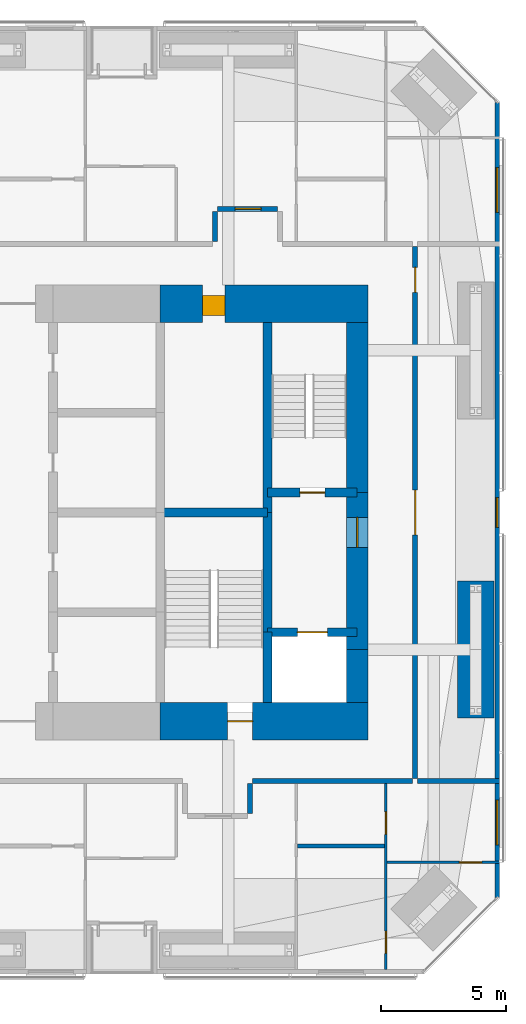
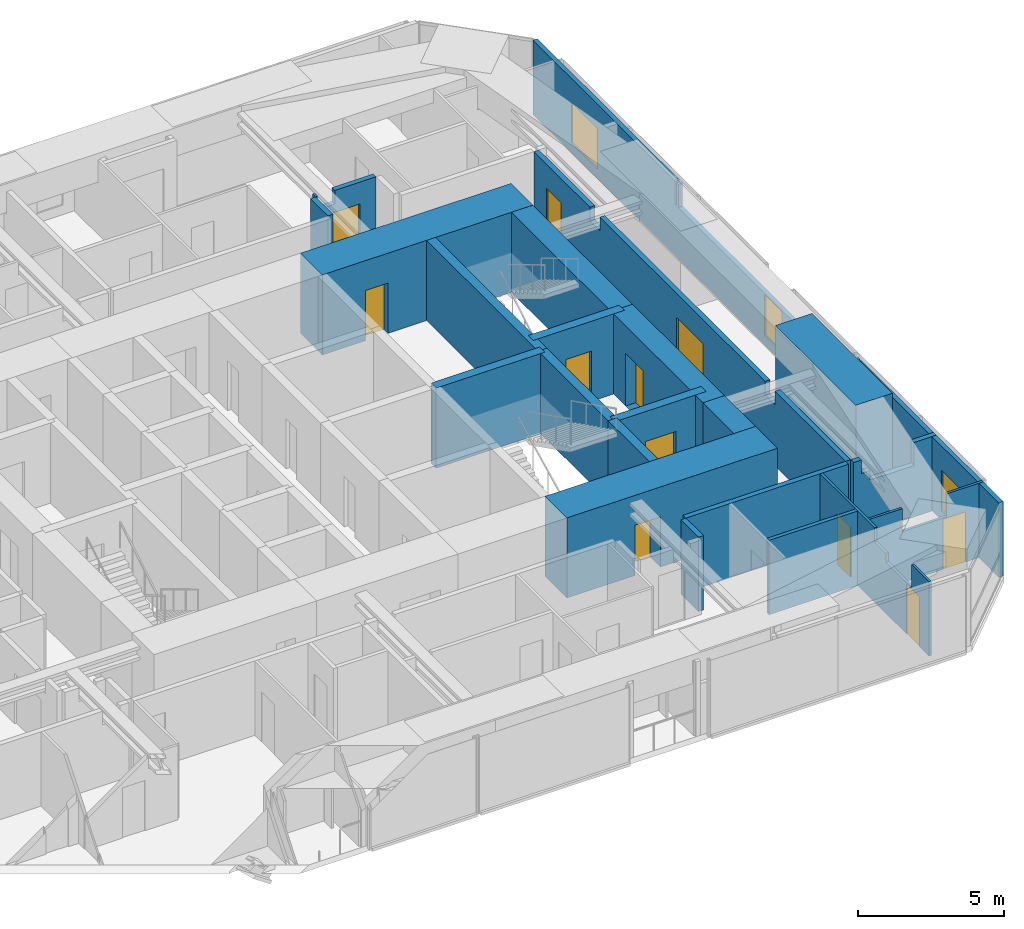
# One storey, part 21 of 24: 22 walls, 11 doors, 3 windows, 14 openings.
"""IFC4 building model written with IfcOpenShell, lengths in metres."""

from ifc_helpers import new_model, si_unit, direction, frame, frame_2d, origin, place, context, subcontext, project, spatial, polyline, rectangle, outline, extrude, material, layer, layer_set, constituent, constituent_set, type_object, element, fill, save


model = new_model("IFC4")

# Units and contexts
model_context = context("Model", 3, precision=1e-05, world=origin(), true_north=direction((0.0, 1.0)))
body_context = subcontext(model_context, "Body", "Model", "MODEL_VIEW")
ifc_project = project(units=[si_unit("LENGTHUNIT", "METRE"), si_unit("AREAUNIT", "SQUARE_METRE"), si_unit("VOLUMEUNIT", "CUBIC_METRE"), si_unit("PLANEANGLEUNIT", "RADIAN"), si_unit("MASSUNIT", "GRAM", prefix="KILO")], contexts=[model_context])

# Site, building, storey
site_placement = place(None, origin())
site = spatial("IfcSite", under=ifc_project, at=site_placement, CompositionType="ELEMENT")
building_placement = place(site_placement, origin())
building = spatial("IfcBuilding", under=site, at=building_placement, Name="Jalousie Tower", CompositionType="ELEMENT")
storey_placement = place(building_placement, frame((0.0, 0.0, 124.949951171875)))
storey = spatial("IfcBuildingStorey", under=building, at=storey_placement, Name="L34", CompositionType="ELEMENT", Elevation=124.949951171875)

# Wall
ifc_material_1 = material(Name="Concrete block ASTM C90", Category="concrete")
ifc_constituent_1 = constituent(ifc_material_1, Name="Body")
ifc_material_2 = material(Name="Render")
ifc_constituent_2 = constituent(ifc_material_2, Name="Finish")
ifc_constituent_set_1 = constituent_set(constituents=[ifc_constituent_1, ifc_constituent_2])
wall_type_1 = type_object("IfcWallType", Name="BATHROOM WALL 150", PredefinedType="PLUMBINGWALL", material=ifc_constituent_set_1)
wall_1_placement = place(storey_placement, frame((41.39990234375, 5.125, 0.0), z_axis=(0.0, 0.0, 1.0), x_axis=(1.0, 0.0, 0.0)))
element("IfcWall", 1, at=wall_1_placement, inside=storey, type_object=wall_type_1, Name="Bathroom Wall 150 L34", PredefinedType="PLUMBINGWALL", context=body_context, shape_type="SweptSolid", body=[
    extrude(rectangle(XDim=3.5, YDim=0.14990234375, at=frame_2d((1.75, 0.0))), origin(), (0.0, 0.0, 1.0), 3.110107421875),
])

# Wall, opening, door
ifc_material_3 = material(Name="Concrete f'c 120 MPa", Category="concrete")
ifc_layer_1 = layer(ifc_material_3, 1.5)
ifc_layer_set_1 = layer_set([ifc_layer_1], Name="Concrete f'c 120 MPa")
wall_type_2 = type_object("IfcWallType", Name="CORE WALL 1500", PredefinedType="SHEAR", material=ifc_layer_set_1)
wall_2_placement = place(storey_placement, frame((35.89990234375, 10.125, 0.0), z_axis=(0.0, 0.0, 1.0), x_axis=(1.0, 0.0, 0.0)))
wall_2 = element("IfcWall", 2, at=wall_2_placement, inside=storey, type_object=wall_type_2, Name="Core wall SD L34", PredefinedType="SHEAR", context=body_context, shape_type="SweptSolid", body=[
    extrude(rectangle(XDim=8.3251953125, YDim=1.5, at=frame_2d((4.16259765625, 0.0))), origin(), (0.0, 0.0, 1.0), 3.35009765625),
])
opening_1_placement = place(wall_2_placement, frame((2.699951171875, 0.0, 0.0)))
opening_1 = element("IfcOpeningElement", 3, at=opening_1_placement, cuts=wall_2, Name="Opening D10", PredefinedType="OPENING", context=body_context, shape_type="SweptSolid", body=[
    extrude(rectangle(XDim=1.0, YDim=2.10009765625, at=frame_2d((0.5, 1.050048828125))), frame((0.0, 0.760009765625, 0.0), z_axis=(0.0, -1.0, 0.0), x_axis=(1.0, 0.0, 0.0)), (0.0, 0.0, 1.0), 1.52001953125),
])
ifc_material_4 = material(Name="Steel fire door", Category="steel")
door_type_1 = type_object("IfcDoorType", Name="STAIR DOOR 1000", OperationType="SINGLE_SWING_LEFT", PredefinedType="DOOR", material=ifc_material_4)
door_1_placement = place(opening_1_placement, origin())
door_1 = element("IfcDoor", 4, at=door_1_placement, inside=storey, type_object=door_type_1, Name="Exit stair C door", OperationType="SINGLE_SWING_RIGHT", OverallHeight=2.10009765625, OverallWidth=1.0, PredefinedType="DOOR", context=body_context, shape_type="SweptSolid", body=[
    extrude(rectangle(XDim=1.0, YDim=2.10009765625, at=frame_2d((0.5, 1.050048828125))), frame((0.0, 0.02490234375, 0.0), z_axis=(0.0, -1.0, 0.0), x_axis=(1.0, 0.0, 0.0)), (0.0, 0.0, 1.0), 0.050048828125),
])
fill(opening_1, door_1)

wall_3_placement = place(storey_placement, frame((44.22509765625, 26.875, 0.0), z_axis=(0.0, 0.0, 1.0), x_axis=(-1.0, 0.0, 0.0)))
wall_3 = element("IfcWall", 5, at=wall_3_placement, inside=storey, type_object=wall_type_2, Name="Core wall NA L34", PredefinedType="SHEAR", context=body_context, shape_type="SweptSolid", body=[
    extrude(rectangle(XDim=8.3251953125, YDim=1.5, at=frame_2d((4.16259765625, 0.0))), origin(), (0.0, 0.0, 1.0), 3.35009765625),
])
opening_2_placement = place(wall_3_placement, frame((5.72509765625, 0.0, 0.0)))
opening_2 = element("IfcOpeningElement", 6, at=opening_2_placement, cuts=wall_3, Name="Opening D18", PredefinedType="OPENING", context=body_context, shape_type="SweptSolid", body=[
    extrude(rectangle(XDim=0.89990234375, YDim=2.10009765625, at=frame_2d((0.449951171875, 1.050048828125))), frame((0.0, 0.760009765625, 0.0), z_axis=(0.0, -1.0, 0.0), x_axis=(1.0, 0.0, 0.0)), (0.0, 0.0, 1.0), 1.52001953125),
])
ifc_material_5 = material(Name="Steel fire door", Category="steel")
door_type_2 = type_object("IfcDoorType", Name="CLEANER'S STORE DOOR 900", OperationType="SINGLE_SWING_LEFT", PredefinedType="DOOR", material=ifc_material_5)
door_2_placement = place(opening_2_placement, origin())
door_2 = element("IfcDoor", 7, at=door_2_placement, inside=storey, type_object=door_type_2, Name="Cleaner's store door", OperationType="SINGLE_SWING_LEFT", OverallHeight=2.10009765625, OverallWidth=0.89990234375, PredefinedType="DOOR", context=body_context, shape_type="SweptSolid", body=[
    extrude(rectangle(XDim=0.89990234375, YDim=2.10009765625, at=frame_2d((0.449951171875, 1.050048828125))), frame((0.0, 0.47021484375, 0.0), z_axis=(0.0, -1.0, 0.0), x_axis=(1.0, 0.0, 0.0)), (0.0, 0.0, 1.0), 0.800048828125),
])
fill(opening_2, door_2)

# Walls
ifc_material_6 = material(Name="Concrete f'c 120 MPa", Category="concrete")
ifc_layer_2 = layer(ifc_material_6, 0.35009765625)
ifc_layer_set_2 = layer_set([ifc_layer_2], Name="Concrete f'c 120 MPa")
wall_type_3 = type_object("IfcWallType", Name="CORE WALL 350", PredefinedType="SHEAR", material=ifc_layer_set_2)
wall_4_placement = place(storey_placement, frame((40.199951171875, 10.875, 0.0), z_axis=(0.0, 0.0, 1.0), x_axis=(0.0, 1.0, 0.0)))
element("IfcWall", 8, at=wall_4_placement, inside=storey, type_object=wall_type_3, Name="Core wall X40.2A L34", PredefinedType="SHEAR", context=body_context, shape_type="SweptSolid", body=[
    extrude(rectangle(XDim=2.824951171875, YDim=0.35009765625, at=frame_2d((1.41259765625, 0.0))), origin(), (0.0, 0.0, 1.0), 3.35009765625),
])
wall_5_placement = place(storey_placement, frame((40.199951171875, 13.699951171875, 0.0), z_axis=(0.0, 0.0, 1.0), x_axis=(0.0, 1.0, 0.0)))
element("IfcWall", 9, at=wall_5_placement, inside=storey, type_object=wall_type_3, Name="Core wall X40.2B L34", PredefinedType="SHEAR", context=body_context, shape_type="SweptSolid", body=[
    extrude(rectangle(XDim=4.800048828125, YDim=0.35009765625, at=frame_2d((2.39990234375, 0.0))), origin(), (0.0, 0.0, 1.0), 3.35009765625),
])
wall_6_placement = place(storey_placement, frame((40.199951171875, 18.5, 0.0), z_axis=(0.0, 0.0, 1.0), x_axis=(0.0, 1.0, 0.0)))
element("IfcWall", 10, at=wall_6_placement, inside=storey, type_object=wall_type_3, Name="Core wall X40.2C L34", PredefinedType="SHEAR", context=body_context, shape_type="SweptSolid", body=[
    extrude(rectangle(XDim=7.625, YDim=0.35009765625, at=frame_2d((3.8125, 0.0))), origin(), (0.0, 0.0, 1.0), 3.35009765625),
])
wall_7_placement = place(storey_placement, frame((35.89990234375, 18.5, 0.0), z_axis=(0.0, 0.0, 1.0), x_axis=(1.0, 0.0, 0.0)))
element("IfcWall", 11, at=wall_7_placement, inside=storey, type_object=wall_type_3, Name="Core wall Y35.9-18.5 L34", PredefinedType="SHEAR", context=body_context, shape_type="SweptSolid", body=[
    extrude(rectangle(XDim=4.300048828125, YDim=0.35009765625, at=frame_2d((2.14990234375, 0.0))), origin(), (0.0, 0.0, 1.0), 3.35009765625),
])

# Wall, opening, door
wall_8_placement = place(storey_placement, frame((40.199951171875, 13.699951171875, 0.0), z_axis=(0.0, 0.0, 1.0), x_axis=(1.0, 0.0, 0.0)))
wall_8 = element("IfcWall", 12, at=wall_8_placement, inside=storey, type_object=wall_type_3, Name="Core wall Y40.2-13.7 L34", PredefinedType="SHEAR", context=body_context, shape_type="SweptSolid", body=[
    extrude(rectangle(XDim=3.60009765625, YDim=0.35009765625, at=frame_2d((1.800048828125, 0.0))), origin(), (0.0, 0.0, 1.0), 3.35009765625),
])
opening_3_placement = place(wall_8_placement, frame((1.199951171875, 0.0, 0.0)))
opening_3 = element("IfcOpeningElement", 13, at=opening_3_placement, cuts=wall_8, Name="Opening LD2", PredefinedType="OPENING", context=body_context, shape_type="SweptSolid", body=[
    extrude(rectangle(XDim=1.199951171875, YDim=2.10009765625, at=frame_2d((0.60009765625, 1.050048828125))), frame((0.0, 0.18505859375, 0.0), z_axis=(0.0, -1.0, 0.0), x_axis=(1.0, 0.0, 0.0)), (0.0, 0.0, 1.0), 0.3701171875),
])
ifc_material_7 = material(Name="Steel lift landing door", Category="steel")
door_type_3 = type_object("IfcDoorType", Name="LIFT LANDING DOOR 1200", OperationType="SLIDING_TO_LEFT", PredefinedType="DOOR", material=ifc_material_7)
door_3_placement = place(opening_3_placement, origin())
door_3 = element("IfcDoor", 14, at=door_3_placement, inside=storey, type_object=door_type_3, Name="Lift F2 landing door", OperationType="SLIDING_TO_LEFT", OverallHeight=2.10009765625, OverallWidth=1.199951171875, PredefinedType="DOOR", context=body_context, shape_type="SweptSolid", body=[
    extrude(rectangle(XDim=1.199951171875, YDim=2.10009765625, at=frame_2d((0.60009765625, 1.050048828125))), frame((0.0, 0.02490234375, 0.0), z_axis=(0.0, -1.0, 0.0), x_axis=(1.0, 0.0, 0.0)), (0.0, 0.0, 1.0), 0.050048828125),
])
fill(opening_3, door_3)

wall_9_placement = place(storey_placement, frame((40.199951171875, 19.300048828125, 0.0), z_axis=(0.0, 0.0, 1.0), x_axis=(1.0, 0.0, 0.0)))
wall_9 = element("IfcWall", 15, at=wall_9_placement, inside=storey, type_object=wall_type_3, Name="Core wall Y40.2-19.3 L34", PredefinedType="SHEAR", context=body_context, shape_type="SweptSolid", body=[
    extrude(rectangle(XDim=3.60009765625, YDim=0.35009765625, at=frame_2d((1.800048828125, 0.0))), origin(), (0.0, 0.0, 1.0), 3.35009765625),
])
opening_4_placement = place(wall_9_placement, frame((1.300048828125, 0.0, 0.0)))
opening_4 = element("IfcOpeningElement", 16, at=opening_4_placement, cuts=wall_9, Name="Opening D10", PredefinedType="OPENING", context=body_context, shape_type="SweptSolid", body=[
    extrude(rectangle(XDim=1.0, YDim=2.10009765625, at=frame_2d((0.5, 1.050048828125))), frame((0.0, 0.18505859375, 0.0), z_axis=(0.0, -1.0, 0.0), x_axis=(1.0, 0.0, 0.0)), (0.0, 0.0, 1.0), 0.3701171875),
])
door_4_placement = place(opening_4_placement, origin())
door_4 = element("IfcDoor", 17, at=door_4_placement, inside=storey, type_object=door_type_1, Name="Exit stair B door", OperationType="SINGLE_SWING_RIGHT", OverallHeight=2.10009765625, OverallWidth=1.0, PredefinedType="DOOR", context=body_context, shape_type="SweptSolid", body=[
    extrude(rectangle(XDim=1.0, YDim=2.10009765625, at=frame_2d((0.5, 1.050048828125))), frame((0.0, 0.02490234375, 0.0), z_axis=(0.0, -1.0, 0.0), x_axis=(1.0, 0.0, 0.0)), (0.0, 0.0, 1.0), 0.050048828125),
])
fill(opening_4, door_4)

# Wall
ifc_material_8 = material(Name="Concrete f'c 120 MPa", Category="concrete")
ifc_layer_3 = layer(ifc_material_8, 0.85009765625)
ifc_layer_set_3 = layer_set([ifc_layer_3], Name="Concrete f'c 120 MPa")
wall_type_4 = type_object("IfcWallType", Name="CORE WALL 850", PredefinedType="SHEAR", material=ifc_layer_set_3)
wall_10_placement = place(storey_placement, frame((43.800048828125, 10.875, 0.0), z_axis=(0.0, 0.0, 1.0), x_axis=(0.0, 1.0, 0.0)))
element("IfcWall", 18, at=wall_10_placement, inside=storey, type_object=wall_type_4, Name="Core wall EA L34", PredefinedType="SHEAR", context=body_context, shape_type="SweptSolid", body=[
    extrude(rectangle(XDim=2.125, YDim=0.85009765625, at=frame_2d((1.0625, 0.0))), origin(), (0.0, 0.0, 1.0), 3.35009765625),
])

# Wall, opening, door
wall_11_placement = place(storey_placement, frame((43.800048828125, 13.0, 0.0), z_axis=(0.0, 0.0, 1.0), x_axis=(0.0, 1.0, 0.0)))
wall_11 = element("IfcWall", 19, at=wall_11_placement, inside=storey, type_object=wall_type_4, Name="Core wall EB L34", PredefinedType="SHEAR", context=body_context, shape_type="SweptSolid", body=[
    extrude(rectangle(XDim=6.300048828125, YDim=0.85009765625, at=frame_2d((3.14990234375, 0.0))), origin(), (0.0, 0.0, 1.0), 3.35009765625),
])
opening_5_placement = place(wall_11_placement, frame((4.10009765625, 0.0, 0.0)))
opening_5 = element("IfcOpeningElement", 20, at=opening_5_placement, cuts=wall_11, Name="Opening D11", PredefinedType="OPENING", context=body_context, shape_type="SweptSolid", body=[
    extrude(rectangle(XDim=1.199951171875, YDim=2.199951171875, at=frame_2d((0.60009765625, 1.10009765625))), frame((0.0, 0.43505859375, 0.0), z_axis=(0.0, -1.0, 0.0), x_axis=(1.0, 0.0, 0.0)), (0.0, 0.0, 1.0), 0.8701171875),
])
ifc_material_9 = material(Name="Steel fire door", Category="steel")
door_type_4 = type_object("IfcDoorType", Name="FIRE DOOR 1200", OperationType="SINGLE_SWING_LEFT", PredefinedType="DOOR", material=ifc_material_9)
door_5_placement = place(opening_5_placement, origin())
door_5 = element("IfcDoor", 21, at=door_5_placement, inside=storey, type_object=door_type_4, Name="Fire-fighting lobby B door", OperationType="SINGLE_SWING_RIGHT", OverallHeight=2.199951171875, OverallWidth=1.199951171875, PredefinedType="DOOR", context=body_context, shape_type="SweptSolid", body=[
    extrude(rectangle(XDim=1.199951171875, YDim=2.199951171875, at=frame_2d((0.60009765625, 1.10009765625))), frame((0.0, 0.02490234375, 0.0), z_axis=(0.0, -1.0, 0.0), x_axis=(1.0, 0.0, 0.0)), (0.0, 0.0, 1.0), 0.050048828125),
])
fill(opening_5, door_5)

# Wall
wall_12_placement = place(storey_placement, frame((43.800048828125, 19.300048828125, 0.0), z_axis=(0.0, 0.0, 1.0), x_axis=(0.0, 1.0, 0.0)))
element("IfcWall", 22, at=wall_12_placement, inside=storey, type_object=wall_type_4, Name="Core wall EC L34", PredefinedType="SHEAR", context=body_context, shape_type="SweptSolid", body=[
    extrude(rectangle(XDim=6.824951171875, YDim=0.85009765625, at=frame_2d((3.41259765625, 0.0))), origin(), (0.0, 0.0, 1.0), 3.35009765625),
])

# Wall, openings, doors
ifc_material_10 = material(Name="Concrete block ASTM C90", Category="concrete")
ifc_constituent_3 = constituent(ifc_material_10, Name="Body")
ifc_material_11 = material(Name="Render")
ifc_constituent_4 = constituent(ifc_material_11, Name="Finish")
ifc_constituent_set_2 = constituent_set(constituents=[ifc_constituent_3, ifc_constituent_4])
wall_type_5 = type_object("IfcWallType", Name="CORRIDOR WALL 200", PredefinedType="PARTITIONING", material=ifc_constituent_set_2)
wall_13_placement = place(storey_placement, frame((46.125, 7.824951171875, 0.0), z_axis=(0.0, 0.0, 1.0), x_axis=(0.0, 1.0, 0.0)))
wall_13 = element("IfcWall", 23, at=wall_13_placement, inside=storey, type_object=wall_type_5, Name="Corridor Wall 200 L34", PredefinedType="PARTITIONING", context=body_context, shape_type="SweptSolid", body=[
    extrude(outline(polyline([(0.0, 0.0), (21.35009765625, 0.0), (21.35009765625, 3.110107421875), (17.512451171875, 3.110107421875), (17.512451171875, 2.541015625), (16.837646484375, 2.541015625), (16.837646484375, 3.110107421875), (5.51220703125, 3.110107421875), (5.51220703125, 2.541015625), (4.837646484375, 2.541015625), (4.837646484375, 3.110107421875), (0.0, 3.110107421875), (0.0, 0.0)])), frame((0.0, 0.10009765625, 0.0), z_axis=(0.0, -1.0, 0.0), x_axis=(1.0, 0.0, 0.0)), (0.0, 0.0, 1.0), 0.199951171875),
])
opening_6_placement = place(wall_13_placement, frame((9.77490234375, 0.0, 0.0)))
opening_6 = element("IfcOpeningElement", 24, at=opening_6_placement, cuts=wall_13, Name="Opening D22", PredefinedType="OPENING", context=body_context, shape_type="SweptSolid", body=[
    extrude(rectangle(XDim=1.800048828125, YDim=2.10009765625, at=frame_2d((0.89990234375, 1.050048828125))), frame((0.0, 0.10986328125, 0.0), z_axis=(0.0, -1.0, 0.0), x_axis=(1.0, 0.0, 0.0)), (0.0, 0.0, 1.0), 0.219970703125),
])
opening_7_placement = place(wall_13_placement, frame((19.5, 0.0, 0.0)))
opening_7 = element("IfcOpeningElement", 25, at=opening_7_placement, cuts=wall_13, Name="Opening D21", PredefinedType="OPENING", context=body_context, shape_type="SweptSolid", body=[
    extrude(rectangle(XDim=1.0, YDim=2.10009765625, at=frame_2d((0.5, 1.050048828125))), frame((0.0, 0.10986328125, 0.0), z_axis=(0.0, -1.0, 0.0), x_axis=(1.0, 0.0, 0.0)), (0.0, 0.0, 1.0), 0.219970703125),
])
ifc_material_12 = material(Name="Timber fire door", Category="wood")
door_type_5 = type_object("IfcDoorType", Name="CORRIDOR DOOR 1000", OperationType="SINGLE_SWING_LEFT", PredefinedType="DOOR", material=ifc_material_12)
door_6_placement = place(opening_7_placement, frame((1.0, 0.0, 0.0), z_axis=(0.0, 0.0, 1.0), x_axis=(-1.0, 0.0, 0.0)))
door_6 = element("IfcDoor", 26, at=door_6_placement, inside=storey, type_object=door_type_5, Name="Lounge second door", OperationType="SINGLE_SWING_LEFT", OverallHeight=2.10009765625, OverallWidth=1.0, PredefinedType="DOOR", context=body_context, shape_type="SweptSolid", body=[
    extrude(rectangle(XDim=1.0, YDim=2.10009765625, at=frame_2d((0.5, 1.050048828125))), frame((0.0, 0.02490234375, 0.0), z_axis=(0.0, -1.0, 0.0), x_axis=(1.0, 0.0, 0.0)), (0.0, 0.0, 1.0), 0.050048828125),
])
fill(opening_7, door_6)
ifc_material_13 = material(Name="Timber fire door", Category="wood")
door_type_6 = type_object("IfcDoorType", Name="CORRIDOR DOUBLE DOOR 1800", OperationType="DOUBLE_DOOR_SINGLE_SWING", PredefinedType="DOOR", material=ifc_material_13)
door_7_placement = place(opening_6_placement, frame((1.800048828125, 0.0, 0.0), z_axis=(0.0, 0.0, 1.0), x_axis=(-1.0, 0.0, 0.0)))
door_7 = element("IfcDoor", 27, at=door_7_placement, inside=storey, type_object=door_type_6, Name="Lounge door", OperationType="DOUBLE_DOOR_SINGLE_SWING", OverallHeight=2.10009765625, OverallWidth=1.800048828125, PredefinedType="DOOR", context=body_context, shape_type="SweptSolid", body=[
    extrude(rectangle(XDim=1.800048828125, YDim=2.10009765625, at=frame_2d((0.89990234375, 1.050048828125))), frame((0.0, 0.02490234375, 0.0), z_axis=(0.0, -1.0, 0.0), x_axis=(1.0, 0.0, 0.0)), (0.0, 0.0, 1.0), 0.050048828125),
])
fill(opening_6, door_7)

# Walls
wall_14_placement = place(storey_placement, frame((39.60009765625, 7.72509765625, 0.0), z_axis=(0.0, 0.0, 1.0), x_axis=(1.0, 0.0, 0.0)))
element("IfcWall", 28, at=wall_14_placement, inside=storey, type_object=wall_type_5, Name="Corridor Wall 200 L34", PredefinedType="PARTITIONING", context=body_context, shape_type="SweptSolid", body=[
    extrude(rectangle(XDim=6.4248046875, YDim=0.199951171875, at=frame_2d((3.21240234375, 0.0))), origin(), (0.0, 0.0, 1.0), 3.110107421875),
])
wall_15_placement = place(storey_placement, frame((39.5, 7.625, 0.0), z_axis=(0.0, 0.0, 1.0), x_axis=(0.0, -1.0, 0.0)))
element("IfcWall", 29, at=wall_15_placement, inside=storey, type_object=wall_type_5, Name="Corridor Wall 200 L34", PredefinedType="PARTITIONING", context=body_context, shape_type="SweptSolid", body=[
    extrude(rectangle(XDim=1.199951171875, YDim=0.199951171875, at=frame_2d((0.60009765625, 0.0))), origin(), (0.0, 0.0, 1.0), 3.110107421875),
])

# Wall, opening, door
wall_16_placement = place(storey_placement, frame((38.199951171875, 30.675048828125, 0.0), z_axis=(0.0, 0.0, 1.0), x_axis=(1.0, 0.0, 0.0)))
wall_16 = element("IfcWall", 30, at=wall_16_placement, inside=storey, type_object=wall_type_5, Name="Corridor Wall 200 L34", PredefinedType="PARTITIONING", context=body_context, shape_type="SweptSolid", body=[
    extrude(outline(polyline([(0.0, 0.0), (2.400146484375, 0.0), (2.39990234375, 3.110107421875), (0.76220703125, 3.110107421875), (0.76220703125, 2.541015625), (0.087646484375, 2.541015625), (0.087646484375, 3.110107421875), (0.0, 3.110107421875), (0.0, 0.0)])), frame((0.0, 0.10009765625, 0.0), z_axis=(0.0, -1.0, 0.0), x_axis=(1.0, 0.0, 0.0)), (0.0, 0.0, 1.0), 0.199951171875),
])
opening_8_placement = place(wall_16_placement, frame((0.699951171875, 0.0, 0.0)))
opening_8 = element("IfcOpeningElement", 31, at=opening_8_placement, cuts=wall_16, Name="Opening D1", PredefinedType="OPENING", context=body_context, shape_type="SweptSolid", body=[
    extrude(rectangle(XDim=1.050048828125, YDim=2.199951171875, at=frame_2d((0.52490234375, 1.10009765625))), frame((0.0, 0.10986328125, 0.0), z_axis=(0.0, -1.0, 0.0), x_axis=(1.0, 0.0, 0.0)), (0.0, 0.0, 1.0), 0.219970703125),
])
ifc_material_14 = material(Name="Timber fire door", Category="wood")
door_type_7 = type_object("IfcDoorType", Name="APARTMENT ENTRANCE DOOR 1050", OperationType="SINGLE_SWING_LEFT", PredefinedType="DOOR", material=ifc_material_14)
door_8_placement = place(opening_8_placement, origin())
door_8 = element("IfcDoor", 32, at=door_8_placement, inside=storey, type_object=door_type_7, Name="Apartment 3404 entrance", OperationType="SINGLE_SWING_RIGHT", OverallHeight=2.199951171875, OverallWidth=1.050048828125, PredefinedType="DOOR", context=body_context, shape_type="SweptSolid", body=[
    extrude(rectangle(XDim=1.050048828125, YDim=2.199951171875, at=frame_2d((0.52490234375, 1.10009765625))), frame((0.0, 0.02490234375, 0.0), z_axis=(0.0, -1.0, 0.0), x_axis=(1.0, 0.0, 0.0)), (0.0, 0.0, 1.0), 0.050048828125),
])
fill(opening_8, door_8)

# Wall
wall_17_placement = place(storey_placement, frame((38.10009765625, 29.375, 0.0), z_axis=(0.0, 0.0, 1.0), x_axis=(0.0, 1.0, 0.0)))
element("IfcWall", 33, at=wall_17_placement, inside=storey, type_object=wall_type_5, Name="Corridor Wall 200 L34", PredefinedType="PARTITIONING", context=body_context, shape_type="SweptSolid", body=[
    extrude(rectangle(XDim=1.199951171875, YDim=0.199951171875, at=frame_2d((0.60009765625, 0.0))), origin(), (0.0, 0.0, 1.0), 3.110107421875),
])

# Wall, openings, windows
ifc_material_15 = material(Name="Concrete f'c 40 MPa", Category="concrete")
ifc_constituent_5 = constituent(ifc_material_15, Name="Body")
ifc_material_16 = material(Name="Render, pastel sea green")
ifc_constituent_6 = constituent(ifc_material_16, Name="Finish")
ifc_constituent_set_3 = constituent_set(constituents=[ifc_constituent_5, ifc_constituent_6])
wall_type_6 = type_object("IfcWallType", Name="EXTERNAL WALL 175 SEA GREEN RENDER", PredefinedType="SOLIDWALL", material=ifc_constituent_set_3)
wall_18_placement = place(storey_placement, frame((49.41259765625, 3.05126953125, 0.0), z_axis=(0.0, 0.0, 1.0), x_axis=(0.0, 1.0, 0.0)))
wall_18 = element("IfcWall", 34, at=wall_18_placement, inside=storey, type_object=wall_type_6, Name="External Wall 175 Sea Green Render L34", PredefinedType="SOLIDWALL", context=body_context, shape_type="SweptSolid", body=[
    extrude(outline(polyline([(0.0, 0.0), (31.8974609375, 0.0), (31.8974609375, 3.110107421875), (22.167236328125, 3.110107421875), (22.167236328125, 2.150146484375), (22.074462890625, 2.150146484375), (22.074462890625, 3.110107421875), (21.94873046875, 3.110107421875), (21.94873046875, 2.150146484375), (9.94873046875, 2.150146484375), (9.94873046875, 3.110107421875), (9.822998046875, 3.110107421875), (9.822998046875, 2.150146484375), (9.72998046875, 2.150146484375), (9.72998046875, 3.110107421875), (0.0, 3.110107421875), (0.0, 0.0)])), frame((0.0, 0.08740234375, 0.0), z_axis=(0.0, -1.0, 0.0), x_axis=(1.0, 0.0, 0.0)), (0.0, 0.0, 1.0), 0.175048828125),
])
opening_9_placement = place(wall_18_placement, frame((2.1181640625, 0.0, 0.39990234375)))
opening_9 = element("IfcOpeningElement", 35, at=opening_9_placement, cuts=wall_18, Name="Opening W-BED170", PredefinedType="OPENING", context=body_context, shape_type="SweptSolid", body=[
    extrude(rectangle(XDim=1.800048828125, YDim=1.699951171875, at=frame_2d((0.89990234375, 0.85009765625))), frame((0.0, 0.097412109375, 0.0), z_axis=(0.0, -1.0, 0.0), x_axis=(1.0, 0.0, 0.0)), (0.0, 0.0, 1.0), 0.195068359375),
])
opening_10_placement = place(wall_18_placement, frame((14.8486328125, 0.0, 0.39990234375)))
opening_10 = element("IfcOpeningElement", 36, at=opening_10_placement, cuts=wall_18, Name="Opening W-COR170", PredefinedType="OPENING", context=body_context, shape_type="SweptSolid", body=[
    extrude(rectangle(XDim=1.199951171875, YDim=1.699951171875, at=frame_2d((0.60009765625, 0.85009765625))), frame((0.0, 0.097412109375, 0.0), z_axis=(0.0, -1.0, 0.0), x_axis=(1.0, 0.0, 0.0)), (0.0, 0.0, 1.0), 0.195068359375),
])
opening_11_placement = place(wall_18_placement, frame((27.479248046875, 0.0, 0.39990234375)))
opening_11 = element("IfcOpeningElement", 37, at=opening_11_placement, cuts=wall_18, Name="Opening W-BED170", PredefinedType="OPENING", context=body_context, shape_type="SweptSolid", body=[
    extrude(rectangle(XDim=1.800048828125, YDim=1.699951171875, at=frame_2d((0.89990234375, 0.85009765625))), frame((0.0, 0.097412109375, 0.0), z_axis=(0.0, -1.0, 0.0), x_axis=(1.0, 0.0, 0.0)), (0.0, 0.0, 1.0), 0.195068359375),
])
ifc_material_17 = material(Name="Aluminium frame, impact-rated glazing", Category="aluminium")
window_type_1 = type_object("IfcWindowType", Name="WINDOW BED 1800x1700", PartitioningType="SINGLE_PANEL", PredefinedType="WINDOW", material=ifc_material_17)
window_1_placement = place(opening_9_placement, origin())
window_1 = element("IfcWindow", 38, at=window_1_placement, inside=storey, type_object=window_type_1, Name="Apartment 3402 bedroom 3 window", OverallHeight=1.699951171875, OverallWidth=1.800048828125, PartitioningType="SINGLE_PANEL", PredefinedType="WINDOW", context=body_context, shape_type="SweptSolid", body=[
    extrude(rectangle(XDim=1.800048828125, YDim=1.699951171875, at=frame_2d((0.89990234375, 0.85009765625))), frame((0.0, 0.030029296875, 0.0), z_axis=(0.0, -1.0, 0.0), x_axis=(1.0, 0.0, 0.0)), (0.0, 0.0, 1.0), 0.06005859375),
])
fill(opening_9, window_1)
window_2_placement = place(opening_11_placement, origin())
window_2 = element("IfcWindow", 39, at=window_2_placement, inside=storey, type_object=window_type_1, Name="Apartment 3404 bedroom 3 window", OverallHeight=1.699951171875, OverallWidth=1.800048828125, PartitioningType="SINGLE_PANEL", PredefinedType="WINDOW", context=body_context, shape_type="SweptSolid", body=[
    extrude(rectangle(XDim=1.800048828125, YDim=1.699951171875, at=frame_2d((0.89990234375, 0.85009765625))), frame((0.0, 0.030029296875, 0.0), z_axis=(0.0, -1.0, 0.0), x_axis=(1.0, 0.0, 0.0)), (0.0, 0.0, 1.0), 0.06005859375),
])
fill(opening_11, window_2)
ifc_material_18 = material(Name="Aluminium frame, impact-rated glazing", Category="aluminium")
window_type_2 = type_object("IfcWindowType", Name="WINDOW COR 1200x1700", PartitioningType="SINGLE_PANEL", PredefinedType="WINDOW", material=ifc_material_18)
window_3_placement = place(opening_10_placement, origin())
window_3 = element("IfcWindow", 40, at=window_3_placement, inside=storey, type_object=window_type_2, Name="Residents' lounge window", OverallHeight=1.699951171875, OverallWidth=1.199951171875, PartitioningType="SINGLE_PANEL", PredefinedType="WINDOW", context=body_context, shape_type="SweptSolid", body=[
    extrude(rectangle(XDim=1.199951171875, YDim=1.699951171875, at=frame_2d((0.60009765625, 0.85009765625))), frame((0.0, 0.030029296875, 0.0), z_axis=(0.0, -1.0, 0.0), x_axis=(1.0, 0.0, 0.0)), (0.0, 0.0, 1.0), 0.06005859375),
])
fill(opening_10, window_3)

# Wall, openings, doors
ifc_material_19 = material(Name="Gypsum board", Category="gypsum")
ifc_constituent_7 = constituent(ifc_material_19, Name="Body")
ifc_material_20 = material(Name="Light-gauge steel studs ASTM A653 SS Grade 33", Category="steel")
ifc_constituent_8 = constituent(ifc_material_20, Name="Framing")
ifc_constituent_set_4 = constituent_set(constituents=[ifc_constituent_7, ifc_constituent_8])
wall_type_7 = type_object("IfcWallType", Name="PARTITION 100", PredefinedType="PARTITIONING", material=ifc_constituent_set_4)
wall_19_placement = place(storey_placement, frame((44.949951171875, 0.175048828125, 0.0), z_axis=(0.0, 0.0, 1.0), x_axis=(0.0, 1.0, 0.0)))
wall_19 = element("IfcWall", 41, at=wall_19_placement, inside=storey, type_object=wall_type_7, Name="Partition 100 L34", PredefinedType="PARTITIONING", context=body_context, shape_type="SweptSolid", body=[
    extrude(outline(polyline([(0.0, 0.0), (7.449951171875, 0.0), (7.449951171875, 3.110107421875), (3.71630859375, 3.110107421875), (3.71630859375, 2.510009765625), (2.94287109375, 2.510009765625), (2.94287109375, 2.150146484375), (1.1875, 2.150146484375), (1.1875, 3.110107421875), (0.0, 3.110107421875), (0.0, 0.0)])), frame((0.0, 0.050048828125, 0.0), z_axis=(0.0, -1.0, 0.0), x_axis=(1.0, 0.0, 0.0)), (0.0, 0.0, 1.0), 0.10009765625),
])
opening_12_placement = place(wall_19_placement, frame((0.638916015625, 0.0, 0.0)))
opening_12 = element("IfcOpeningElement", 42, at=opening_12_placement, cuts=wall_19, Name="Opening D2", PredefinedType="OPENING", context=body_context, shape_type="SweptSolid", body=[
    extrude(rectangle(XDim=0.89990234375, YDim=2.10009765625, at=frame_2d((0.449951171875, 1.050048828125))), frame((0.0, 0.06005859375, 0.0), z_axis=(0.0, -1.0, 0.0), x_axis=(1.0, 0.0, 0.0)), (0.0, 0.0, 1.0), 0.1201171875),
])
opening_13_placement = place(wall_19_placement, frame((5.41943359375, 0.0, 0.0)))
opening_13 = element("IfcOpeningElement", 43, at=opening_13_placement, cuts=wall_19, Name="Opening D3", PredefinedType="OPENING", context=body_context, shape_type="SweptSolid", body=[
    extrude(rectangle(XDim=0.89990234375, YDim=2.10009765625, at=frame_2d((0.449951171875, 1.050048828125))), frame((0.0, 0.06005859375, 0.0), z_axis=(0.0, -1.0, 0.0), x_axis=(1.0, 0.0, 0.0)), (0.0, 0.0, 1.0), 0.1201171875),
])
ifc_material_21 = material(Name="Timber door", Category="wood")
door_type_8 = type_object("IfcDoorType", Name="BATHROOM DOOR 900", OperationType="SINGLE_SWING_LEFT", PredefinedType="DOOR", material=ifc_material_21)
door_9_placement = place(opening_13_placement, origin())
door_9 = element("IfcDoor", 44, at=door_9_placement, inside=storey, type_object=door_type_8, Name="Apartment 3402 bedroom 3 bathroom door", OperationType="SINGLE_SWING_LEFT", OverallHeight=2.10009765625, OverallWidth=0.89990234375, PredefinedType="DOOR", context=body_context, shape_type="SweptSolid", body=[
    extrude(rectangle(XDim=0.89990234375, YDim=2.10009765625, at=frame_2d((0.449951171875, 1.050048828125))), frame((0.0, 0.02490234375, 0.0), z_axis=(0.0, -1.0, 0.0), x_axis=(1.0, 0.0, 0.0)), (0.0, 0.0, 1.0), 0.050048828125),
])
fill(opening_13, door_9)
ifc_material_22 = material(Name="Timber door", Category="wood")
door_type_9 = type_object("IfcDoorType", Name="BEDROOM DOOR 900", OperationType="SINGLE_SWING_LEFT", PredefinedType="DOOR", material=ifc_material_22)
door_10_placement = place(opening_12_placement, origin())
door_10 = element("IfcDoor", 45, at=door_10_placement, inside=storey, type_object=door_type_9, Name="Apartment 3402 bedroom 3 door", OperationType="SINGLE_SWING_LEFT", OverallHeight=2.10009765625, OverallWidth=0.89990234375, PredefinedType="DOOR", context=body_context, shape_type="SweptSolid", body=[
    extrude(rectangle(XDim=0.89990234375, YDim=2.10009765625, at=frame_2d((0.449951171875, 1.050048828125))), frame((0.0, 0.02490234375, 0.0), z_axis=(0.0, -1.0, 0.0), x_axis=(1.0, 0.0, 0.0)), (0.0, 0.0, 1.0), 0.050048828125),
])
fill(opening_12, door_10)

# Wall, opening, door
wall_20_placement = place(storey_placement, frame((45.0, 4.4638671875, 0.0), z_axis=(0.0, 0.0, 1.0), x_axis=(1.0, 0.0, 0.0)))
wall_20 = element("IfcWall", 46, at=wall_20_placement, inside=storey, type_object=wall_type_7, Name="Partition 100 L34", PredefinedType="PARTITIONING", context=body_context, shape_type="SweptSolid", body=[
    extrude(outline(polyline([(0.0, 0.0), (4.5, 0.0), (4.5, 3.110107421875), (3.037109375, 3.110107421875), (3.037109375, 2.150146484375), (1.29443359375, 2.150146484375), (1.29443359375, 3.110107421875), (0.0, 3.110107421875), (0.0, 0.0)])), frame((0.0, 0.050048828125, 0.0), z_axis=(0.0, -1.0, 0.0), x_axis=(1.0, 0.0, 0.0)), (0.0, 0.0, 1.0), 0.10009765625),
])
opening_14_placement = place(wall_20_placement, frame((2.89990234375, 0.0, 0.0)))
opening_14 = element("IfcOpeningElement", 47, at=opening_14_placement, cuts=wall_20, Name="Opening D7", PredefinedType="OPENING", context=body_context, shape_type="SweptSolid", body=[
    extrude(rectangle(XDim=0.89990234375, YDim=2.10009765625, at=frame_2d((0.449951171875, 1.050048828125))), frame((0.0, 0.06005859375, 0.0), z_axis=(0.0, -1.0, 0.0), x_axis=(1.0, 0.0, 0.0)), (0.0, 0.0, 1.0), 0.1201171875),
])
ifc_material_23 = material(Name="Timber door", Category="wood")
door_type_10 = type_object("IfcDoorType", Name="INTERNAL DOOR 900", OperationType="SINGLE_SWING_LEFT", PredefinedType="DOOR", material=ifc_material_23)
door_11_placement = place(opening_14_placement, origin())
door_11 = element("IfcDoor", 48, at=door_11_placement, inside=storey, type_object=door_type_10, Name="Apartment 3402 bedroom 3 dressing hall door", OperationType="SINGLE_SWING_RIGHT", OverallHeight=2.10009765625, OverallWidth=0.89990234375, PredefinedType="DOOR", context=body_context, shape_type="SweptSolid", body=[
    extrude(rectangle(XDim=0.89990234375, YDim=2.10009765625, at=frame_2d((0.449951171875, 1.050048828125))), frame((0.0, 0.02490234375, 0.0), z_axis=(0.0, -1.0, 0.0), x_axis=(1.0, 0.0, 0.0)), (0.0, 0.0, 1.0), 0.050048828125),
])
fill(opening_14, door_11)

# Walls
ifc_material_24 = material(Name="Concrete block ASTM C90", Category="concrete")
ifc_constituent_9 = constituent(ifc_material_24, Name="Body")
ifc_material_25 = material(Name="Render")
ifc_constituent_10 = constituent(ifc_material_25, Name="Finish")
ifc_constituent_set_5 = constituent_set(constituents=[ifc_constituent_9, ifc_constituent_10])
wall_type_8 = type_object("IfcWallType", Name="PARTY WALL 200", PredefinedType="PARTITIONING", material=ifc_constituent_set_5)
wall_21_placement = place(storey_placement, frame((46.22509765625, 7.72509765625, 0.0), z_axis=(0.0, 0.0, 1.0), x_axis=(1.0, 0.0, 0.0)))
element("IfcWall", 49, at=wall_21_placement, inside=storey, type_object=wall_type_8, Name="Party Wall 200 L34", PredefinedType="PARTITIONING", context=body_context, shape_type="SweptSolid", body=[
    extrude(outline(polyline([(0.0, 0.0), (3.27490234375, 0.0), (3.27490234375, 3.110107421875), (2.3916015625, 3.110107421875), (2.3916015625, 2.150146484375), (0.642822265625, 2.150146484375), (0.642822265625, 2.541015625), (0.30615234375, 2.541015625), (0.30615234375, 3.110107421875), (0.0, 3.110107421875), (0.0, 0.0)])), frame((0.0, 0.10009765625, 0.0), z_axis=(0.0, -1.0, 0.0), x_axis=(1.0, 0.0, 0.0)), (0.0, 0.0, 1.0), 0.199951171875),
])
ifc_material_26 = material(Name="Concrete f'c 120 MPa", Category="concrete")
ifc_layer_4 = layer(ifc_material_26, 1.449951171875)
ifc_layer_set_4 = layer_set([ifc_layer_4], Name="Concrete f'c 120 MPa")
wall_type_9 = type_object("IfcWallType", Name="RC WALL PIER 1450", PredefinedType="SHEAR", material=ifc_layer_set_4)
wall_22_placement = place(storey_placement, frame((48.550048828125, 10.25, 0.0), z_axis=(0.0, 0.0, 1.0), x_axis=(0.0, 1.0, 0.0)))
element("IfcWall", 50, at=wall_22_placement, inside=storey, type_object=wall_type_9, Name="Wall pier 06 L34", PredefinedType="SHEAR", context=body_context, shape_type="SweptSolid", body=[
    extrude(rectangle(XDim=5.5, YDim=1.449951171875, at=frame_2d((2.75, 0.0))), origin(), (0.0, 0.0, 1.0), 3.35009765625),
])

save(model, "model.ifc")
